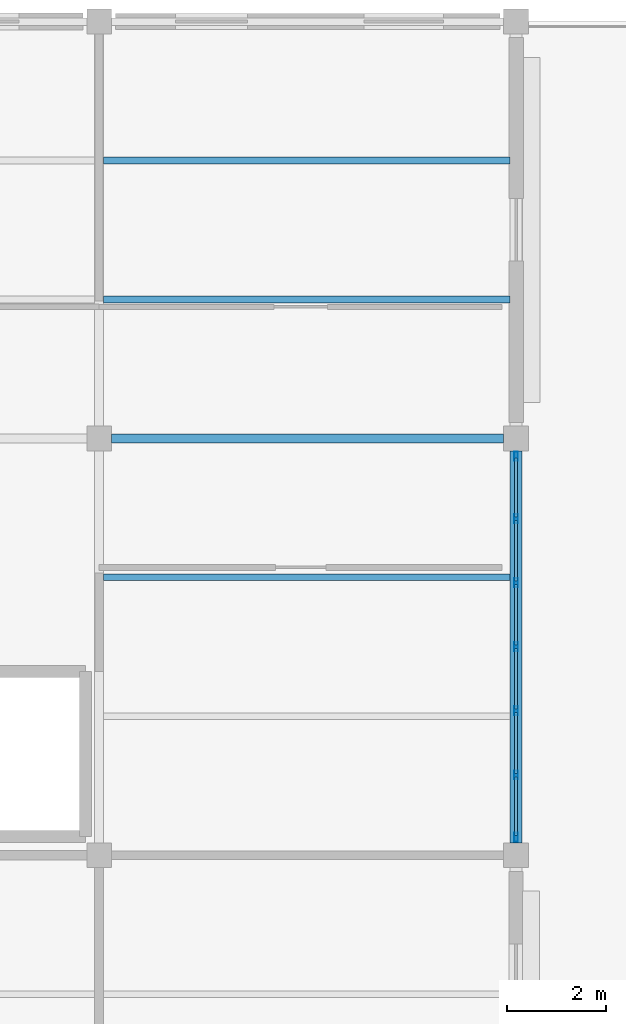
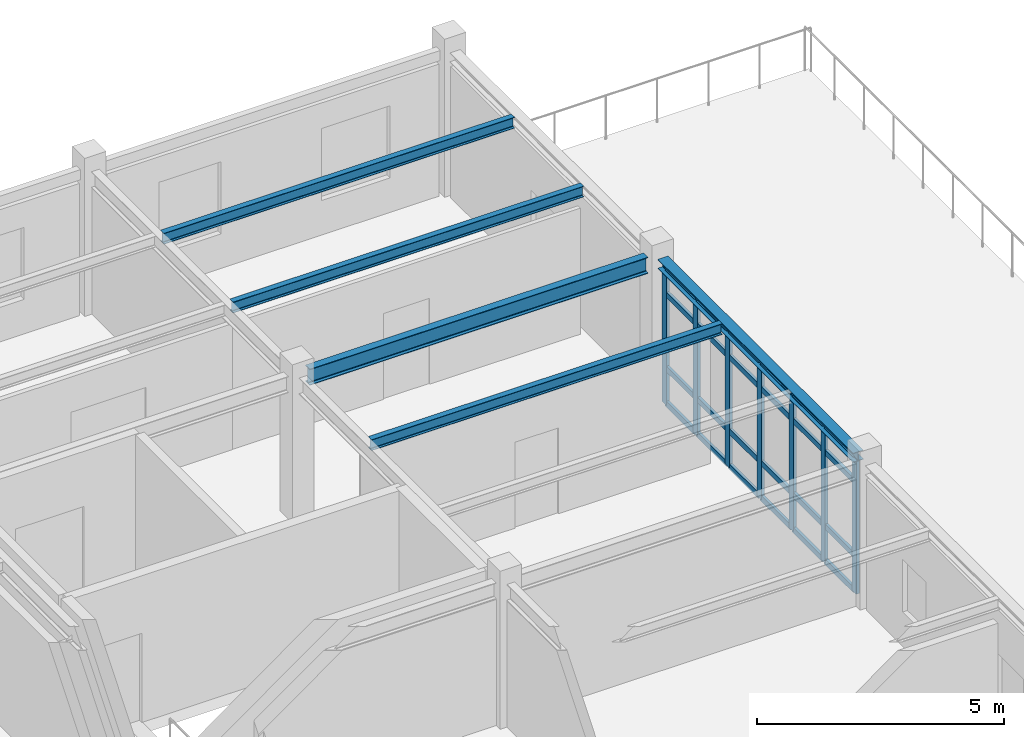
# One storey, part 25 of 53: 31 members, 5 beams, 1 element without a shape of its own.
"""IFC4 building model written with IfcOpenShell, lengths in metres."""

from ifc_helpers import new_model, si_unit, direction, frame, origin, origin_2d, place, context, subcontext, project, spatial, hollow_rectangle, i_section, extrude, material, layer, layer_set, material_profile, profile_set, type_object, element, aggregate, save


model = new_model("IFC4")

# Units and contexts
model_context = context("Model", 3, precision=1e-05, world=origin(), true_north=direction((0.0, 1.0)))
body_context = subcontext(model_context, "Body", "Model", "MODEL_VIEW")
ifc_project = project(units=[si_unit("LENGTHUNIT", "METRE"), si_unit("AREAUNIT", "SQUARE_METRE"), si_unit("VOLUMEUNIT", "CUBIC_METRE"), si_unit("PLANEANGLEUNIT", "RADIAN"), si_unit("MASSUNIT", "GRAM", prefix="KILO")], contexts=[model_context])

# Site, building, storey
site_placement = place(None, origin())
site = spatial("IfcSite", under=ifc_project, at=site_placement, CompositionType="ELEMENT")
building_placement = place(site_placement, origin())
building = spatial("IfcBuilding", under=site, at=building_placement, Name="Bramfleet General Hospital", CompositionType="ELEMENT")
storey_placement = place(building_placement, frame((0.0, 0.0, 26.39990234375)))
storey = spatial("IfcBuildingStorey", under=building, at=storey_placement, Name="L06", CompositionType="ELEMENT", Elevation=26.39990234375)

# Beams
ifc_material_1 = material(Name="Steel S355", Category="steel")
ifc_material_profile_1 = material_profile(ifc_material_1, i_section(OverallWidth=0.239990234375, OverallDepth=0.22998046875, WebThickness=0.007568359375, FlangeThickness=0.011962890625, FilletRadius=0.02099609375, at=origin_2d()), Name="HEA 240")
ifc_profile_set_1 = profile_set([ifc_material_profile_1], Name="Steel S355")
beam_type_1 = type_object("IfcBeamType", Name="BM-HEA240", PredefinedType="SPANDREL", material=ifc_profile_set_1)
beam_1_placement = place(storey_placement, frame((151.199951171875, 101.050048828125, 3.405029296875), z_axis=(0.0, 1.0, 0.0), x_axis=(-1.0, 0.0, 0.0)))
element("IfcBeam", 1, at=beam_1_placement, inside=storey, type_object=beam_type_1, Name="L06 Grid Beam Y 18-12", PredefinedType="SPANDREL", context=body_context, shape_type="SweptSolid", body=[
    extrude(i_section(OverallWidth=0.239990234375, OverallDepth=0.22998046875, WebThickness=0.007568359375, FlangeThickness=0.011962890625, FilletRadius=0.02099609375, at=origin_2d()), origin(), (0.0, 0.0, 1.0), 7.89990234375),
])
ifc_material_profile_2 = material_profile(ifc_material_1, i_section(OverallWidth=0.135009765625, OverallDepth=0.27001953125, WebThickness=0.006591796875, FlangeThickness=0.01025390625, FilletRadius=0.014892578125, at=origin_2d()), Name="IPE 270")
ifc_profile_set_2 = profile_set([ifc_material_profile_2], Name="Steel S355")
beam_type_2 = type_object("IfcBeamType", Name="BM-IPE270", PredefinedType="JOIST", material=ifc_profile_set_2)
for number, where, z_axis, x_axis, name in (
    (2, (142.889892578125, 106.39990234375, 3.385009765625), (1.0, 0.0, 0.0), (0.0, 1.0, 0.0), "L06 Secondary Joist 17-12-2"),
    (3, (142.889892578125, 112.0, 3.385009765625), (1.0, 0.0, 0.0), (0.0, 1.0, 0.0), "L06 Secondary Joist 17-13-1"),
    (4, (142.889892578125, 114.800048828125, 3.385009765625), (1.0, 0.0, 0.0), (0.0, 1.0, 0.0), "L06 Secondary Joist 17-13-2"),
):
    element("IfcBeam", number, at=place(storey_placement, frame(where, z_axis=z_axis, x_axis=x_axis)), inside=storey, type_object=beam_type_2, Name=name, PredefinedType="JOIST", context=body_context, shape_type="SweptSolid", body=[
        extrude(i_section(OverallWidth=0.135009765625, OverallDepth=0.27001953125, WebThickness=0.006591796875, FlangeThickness=0.01025390625, FilletRadius=0.014892578125, at=origin_2d()), origin(), (0.0, 0.0, 1.0), 8.190185546875),
    ])
ifc_material_profile_3 = material_profile(ifc_material_1, i_section(OverallWidth=0.179931640625, OverallDepth=0.39990234375, WebThickness=0.008544921875, FlangeThickness=0.013427734375, FilletRadius=0.02099609375, at=origin_2d()), Name="IPE 400")
ifc_profile_set_3 = profile_set([ifc_material_profile_3], Name="Steel S355")
beam_type_3 = type_object("IfcBeamType", Name="BM-IPE400", PredefinedType="BEAM", material=ifc_profile_set_3)
beam_2_placement = place(storey_placement, frame((143.050048828125, 109.199951171875, 3.320068359375), z_axis=(1.0, 0.0, 0.0), x_axis=(0.0, 1.0, 0.0)))
element("IfcBeam", 5, at=beam_2_placement, inside=storey, type_object=beam_type_3, Name="L06 Grid Beam X 17-13", PredefinedType="BEAM", context=body_context, shape_type="SweptSolid", body=[
    extrude(i_section(OverallWidth=0.179931640625, OverallDepth=0.39990234375, WebThickness=0.008544921875, FlangeThickness=0.013427734375, FilletRadius=0.02099609375, at=origin_2d()), origin(), (0.0, 0.0, 1.0), 7.89990234375),
])

# Curtain wall, members
ifc_material_2 = material(Name="Anodised aluminium and low-E triple glazing", Category="aluminium")
ifc_layer = layer(ifc_material_2, 0.179931640625, Name="CWT-CW-18")
ifc_layer_set = layer_set([ifc_layer], Name="Anodised aluminium and low-E triple glazing")
curtain_wall_type = type_object("IfcCurtainWallType", Name="CWT-CW-18", PredefinedType="USERDEFINED", material=ifc_layer_set)
curtain_wall_placement = place(storey_placement, origin())
curtain_wall = element("IfcCurtainWall", 6, at=curtain_wall_placement, inside=storey, type_object=curtain_wall_type, Name="L06 Curtain Wall 216", ObjectType="Stick curtain wall", PredefinedType="USERDEFINED")
ifc_material_3 = material(Name="Anodised aluminium EN AW-6060", Category="aluminium")
ifc_material_profile_4 = material_profile(ifc_material_3, hollow_rectangle(XDim=0.070068359375, YDim=0.179931640625, WallThickness=0.00390625, at=origin_2d()), Name="ALU 180x70x4.0")
ifc_profile_set_4 = profile_set([ifc_material_profile_4], Name="Anodised aluminium EN AW-6060")
member_type_1 = type_object("IfcMemberType", Name="CWM-ALU180", PredefinedType="MULLION", material=ifc_profile_set_4)
member_1_placement = place(storey_placement, frame((151.199951171875, 108.840087890625, 0.0), z_axis=(0.0, 0.0, 1.0), x_axis=(1.0, 0.0, 0.0)))
member_1 = element("IfcMember", 7, at=member_1_placement, type_object=member_type_1, Name="CW-18 mullion 1", PredefinedType="MULLION", context=body_context, shape_type="SweptSolid", body=[
    extrude(hollow_rectangle(XDim=0.070068359375, YDim=0.179931640625, WallThickness=0.00390625, at=origin_2d()), origin(), (0.0, 0.0, 1.0), 3.280029296875),
])
member_2_placement = place(storey_placement, frame((151.199951171875, 107.583251953125, 0.0), z_axis=(0.0, 0.0, 1.0), x_axis=(1.0, 0.0, 0.0)))
member_2 = element("IfcMember", 8, at=member_2_placement, type_object=member_type_1, Name="CW-18 mullion 2", PredefinedType="MULLION", context=body_context, shape_type="SweptSolid", body=[
    extrude(hollow_rectangle(XDim=0.070068359375, YDim=0.179931640625, WallThickness=0.00390625, at=origin_2d()), origin(), (0.0, 0.0, 1.0), 3.280029296875),
])
member_3_placement = place(storey_placement, frame((151.199951171875, 106.291748046875, 0.0), z_axis=(0.0, 0.0, 1.0), x_axis=(1.0, 0.0, 0.0)))
member_3 = element("IfcMember", 9, at=member_3_placement, type_object=member_type_1, Name="CW-18 mullion 3", PredefinedType="MULLION", context=body_context, shape_type="SweptSolid", body=[
    extrude(hollow_rectangle(XDim=0.070068359375, YDim=0.179931640625, WallThickness=0.00390625, at=origin_2d()), origin(), (0.0, 0.0, 1.0), 3.280029296875),
])
member_4_placement = place(storey_placement, frame((151.199951171875, 105.0, 0.0), z_axis=(0.0, 0.0, 1.0), x_axis=(1.0, 0.0, 0.0)))
member_4 = element("IfcMember", 10, at=member_4_placement, type_object=member_type_1, Name="CW-18 mullion 4", PredefinedType="MULLION", context=body_context, shape_type="SweptSolid", body=[
    extrude(hollow_rectangle(XDim=0.070068359375, YDim=0.179931640625, WallThickness=0.00390625, at=origin_2d()), origin(), (0.0, 0.0, 1.0), 3.280029296875),
])
member_5_placement = place(storey_placement, frame((151.199951171875, 103.708251953125, 0.0), z_axis=(0.0, 0.0, 1.0), x_axis=(1.0, 0.0, 0.0)))
member_5 = element("IfcMember", 11, at=member_5_placement, type_object=member_type_1, Name="CW-18 mullion 5", PredefinedType="MULLION", context=body_context, shape_type="SweptSolid", body=[
    extrude(hollow_rectangle(XDim=0.070068359375, YDim=0.179931640625, WallThickness=0.00390625, at=origin_2d()), origin(), (0.0, 0.0, 1.0), 3.280029296875),
])
member_6_placement = place(storey_placement, frame((151.199951171875, 102.416748046875, 0.0), z_axis=(0.0, 0.0, 1.0), x_axis=(1.0, 0.0, 0.0)))
member_6 = element("IfcMember", 12, at=member_6_placement, type_object=member_type_1, Name="CW-18 mullion 6", PredefinedType="MULLION", context=body_context, shape_type="SweptSolid", body=[
    extrude(hollow_rectangle(XDim=0.070068359375, YDim=0.179931640625, WallThickness=0.00390625, at=origin_2d()), origin(), (0.0, 0.0, 1.0), 3.280029296875),
])
member_7_placement = place(storey_placement, frame((151.199951171875, 101.159912109375, 0.0), z_axis=(0.0, 0.0, 1.0), x_axis=(1.0, 0.0, 0.0)))
member_7 = element("IfcMember", 13, at=member_7_placement, type_object=member_type_1, Name="CW-18 mullion 7", PredefinedType="MULLION", context=body_context, shape_type="SweptSolid", body=[
    extrude(hollow_rectangle(XDim=0.070068359375, YDim=0.179931640625, WallThickness=0.00390625, at=origin_2d()), origin(), (0.0, 0.0, 1.0), 3.280029296875),
])
ifc_material_profile_5 = material_profile(ifc_material_3, hollow_rectangle(XDim=0.06494140625, YDim=0.139892578125, WallThickness=0.00390625, at=origin_2d()), Name="ALU 140x65x4.0")
ifc_profile_set_5 = profile_set([ifc_material_profile_5], Name="Anodised aluminium EN AW-6060")
member_type_2 = type_object("IfcMemberType", Name="CWT-ALU140", PredefinedType="USERDEFINED", material=ifc_profile_set_5)
member_8_placement = place(storey_placement, frame((151.199951171875, 108.804931640625, 0.03271484375), z_axis=(0.0, -1.0, 0.0), x_axis=(1.0, 0.0, 0.0)))
member_8 = element("IfcMember", 14, at=member_8_placement, type_object=member_type_2, Name="CW-18 transom 1.1", ObjectType="TRANSOM", PredefinedType="USERDEFINED", context=body_context, shape_type="SweptSolid", body=[
    extrude(hollow_rectangle(XDim=0.06494140625, YDim=0.139892578125, WallThickness=0.00390625, at=origin_2d()), origin(), (0.0, 0.0, 1.0), 1.1865234375),
])
member_9_placement = place(storey_placement, frame((151.199951171875, 108.804931640625, 0.900146484375), z_axis=(0.0, -1.0, 0.0), x_axis=(1.0, 0.0, 0.0)))
member_9 = element("IfcMember", 15, at=member_9_placement, type_object=member_type_2, Name="CW-18 transom 1.2", ObjectType="TRANSOM", PredefinedType="USERDEFINED", context=body_context, shape_type="SweptSolid", body=[
    extrude(hollow_rectangle(XDim=0.06494140625, YDim=0.139892578125, WallThickness=0.00390625, at=origin_2d()), origin(), (0.0, 0.0, 1.0), 1.1865234375),
])
member_10_placement = place(storey_placement, frame((151.199951171875, 108.804931640625, 2.72998046875), z_axis=(0.0, -1.0, 0.0), x_axis=(1.0, 0.0, 0.0)))
member_10 = element("IfcMember", 16, at=member_10_placement, type_object=member_type_2, Name="CW-18 transom 1.3", ObjectType="TRANSOM", PredefinedType="USERDEFINED", context=body_context, shape_type="SweptSolid", body=[
    extrude(hollow_rectangle(XDim=0.06494140625, YDim=0.139892578125, WallThickness=0.00390625, at=origin_2d()), origin(), (0.0, 0.0, 1.0), 1.1865234375),
])
member_11_placement = place(storey_placement, frame((151.199951171875, 108.804931640625, 3.24755859375), z_axis=(0.0, -1.0, 0.0), x_axis=(1.0, 0.0, 0.0)))
member_11 = element("IfcMember", 17, at=member_11_placement, type_object=member_type_2, Name="CW-18 transom 1.4", ObjectType="TRANSOM", PredefinedType="USERDEFINED", context=body_context, shape_type="SweptSolid", body=[
    extrude(hollow_rectangle(XDim=0.06494140625, YDim=0.139892578125, WallThickness=0.00390625, at=origin_2d()), origin(), (0.0, 0.0, 1.0), 1.1865234375),
])
member_12_placement = place(storey_placement, frame((151.199951171875, 107.54833984375, 0.03271484375), z_axis=(0.0, -1.0, 0.0), x_axis=(1.0, 0.0, 0.0)))
member_12 = element("IfcMember", 18, at=member_12_placement, type_object=member_type_2, Name="CW-18 transom 2.1", ObjectType="TRANSOM", PredefinedType="USERDEFINED", context=body_context, shape_type="SweptSolid", body=[
    extrude(hollow_rectangle(XDim=0.06494140625, YDim=0.139892578125, WallThickness=0.00390625, at=origin_2d()), origin(), (0.0, 0.0, 1.0), 1.2216796875),
])
member_13_placement = place(storey_placement, frame((151.199951171875, 107.54833984375, 0.900146484375), z_axis=(0.0, -1.0, 0.0), x_axis=(1.0, 0.0, 0.0)))
member_13 = element("IfcMember", 19, at=member_13_placement, type_object=member_type_2, Name="CW-18 transom 2.2", ObjectType="TRANSOM", PredefinedType="USERDEFINED", context=body_context, shape_type="SweptSolid", body=[
    extrude(hollow_rectangle(XDim=0.06494140625, YDim=0.139892578125, WallThickness=0.00390625, at=origin_2d()), origin(), (0.0, 0.0, 1.0), 1.2216796875),
])
member_14_placement = place(storey_placement, frame((151.199951171875, 107.54833984375, 2.72998046875), z_axis=(0.0, -1.0, 0.0), x_axis=(1.0, 0.0, 0.0)))
member_14 = element("IfcMember", 20, at=member_14_placement, type_object=member_type_2, Name="CW-18 transom 2.3", ObjectType="TRANSOM", PredefinedType="USERDEFINED", context=body_context, shape_type="SweptSolid", body=[
    extrude(hollow_rectangle(XDim=0.06494140625, YDim=0.139892578125, WallThickness=0.00390625, at=origin_2d()), origin(), (0.0, 0.0, 1.0), 1.2216796875),
])
member_15_placement = place(storey_placement, frame((151.199951171875, 107.54833984375, 3.24755859375), z_axis=(0.0, -1.0, 0.0), x_axis=(1.0, 0.0, 0.0)))
member_15 = element("IfcMember", 21, at=member_15_placement, type_object=member_type_2, Name="CW-18 transom 2.4", ObjectType="TRANSOM", PredefinedType="USERDEFINED", context=body_context, shape_type="SweptSolid", body=[
    extrude(hollow_rectangle(XDim=0.06494140625, YDim=0.139892578125, WallThickness=0.00390625, at=origin_2d()), origin(), (0.0, 0.0, 1.0), 1.2216796875),
])
member_16_placement = place(storey_placement, frame((151.199951171875, 106.256591796875, 0.03271484375), z_axis=(0.0, -1.0, 0.0), x_axis=(1.0, 0.0, 0.0)))
member_16 = element("IfcMember", 22, at=member_16_placement, type_object=member_type_2, Name="CW-18 transom 3.1", ObjectType="TRANSOM", PredefinedType="USERDEFINED", context=body_context, shape_type="SweptSolid", body=[
    extrude(hollow_rectangle(XDim=0.06494140625, YDim=0.139892578125, WallThickness=0.00390625, at=origin_2d()), origin(), (0.0, 0.0, 1.0), 1.2216796875),
])
member_17_placement = place(storey_placement, frame((151.199951171875, 106.256591796875, 0.900146484375), z_axis=(0.0, -1.0, 0.0), x_axis=(1.0, 0.0, 0.0)))
member_17 = element("IfcMember", 23, at=member_17_placement, type_object=member_type_2, Name="CW-18 transom 3.2", ObjectType="TRANSOM", PredefinedType="USERDEFINED", context=body_context, shape_type="SweptSolid", body=[
    extrude(hollow_rectangle(XDim=0.06494140625, YDim=0.139892578125, WallThickness=0.00390625, at=origin_2d()), origin(), (0.0, 0.0, 1.0), 1.2216796875),
])
member_18_placement = place(storey_placement, frame((151.199951171875, 106.256591796875, 2.72998046875), z_axis=(0.0, -1.0, 0.0), x_axis=(1.0, 0.0, 0.0)))
member_18 = element("IfcMember", 24, at=member_18_placement, type_object=member_type_2, Name="CW-18 transom 3.3", ObjectType="TRANSOM", PredefinedType="USERDEFINED", context=body_context, shape_type="SweptSolid", body=[
    extrude(hollow_rectangle(XDim=0.06494140625, YDim=0.139892578125, WallThickness=0.00390625, at=origin_2d()), origin(), (0.0, 0.0, 1.0), 1.2216796875),
])
member_19_placement = place(storey_placement, frame((151.199951171875, 106.256591796875, 3.24755859375), z_axis=(0.0, -1.0, 0.0), x_axis=(1.0, 0.0, 0.0)))
member_19 = element("IfcMember", 25, at=member_19_placement, type_object=member_type_2, Name="CW-18 transom 3.4", ObjectType="TRANSOM", PredefinedType="USERDEFINED", context=body_context, shape_type="SweptSolid", body=[
    extrude(hollow_rectangle(XDim=0.06494140625, YDim=0.139892578125, WallThickness=0.00390625, at=origin_2d()), origin(), (0.0, 0.0, 1.0), 1.2216796875),
])
member_20_placement = place(storey_placement, frame((151.199951171875, 104.965087890625, 0.03271484375), z_axis=(0.0, -1.0, 0.0), x_axis=(1.0, 0.0, 0.0)))
member_20 = element("IfcMember", 26, at=member_20_placement, type_object=member_type_2, Name="CW-18 transom 4.1", ObjectType="TRANSOM", PredefinedType="USERDEFINED", context=body_context, shape_type="SweptSolid", body=[
    extrude(hollow_rectangle(XDim=0.06494140625, YDim=0.139892578125, WallThickness=0.00390625, at=origin_2d()), origin(), (0.0, 0.0, 1.0), 1.2216796875),
])
member_21_placement = place(storey_placement, frame((151.199951171875, 104.965087890625, 0.900146484375), z_axis=(0.0, -1.0, 0.0), x_axis=(1.0, 0.0, 0.0)))
member_21 = element("IfcMember", 27, at=member_21_placement, type_object=member_type_2, Name="CW-18 transom 4.2", ObjectType="TRANSOM", PredefinedType="USERDEFINED", context=body_context, shape_type="SweptSolid", body=[
    extrude(hollow_rectangle(XDim=0.06494140625, YDim=0.139892578125, WallThickness=0.00390625, at=origin_2d()), origin(), (0.0, 0.0, 1.0), 1.2216796875),
])
member_22_placement = place(storey_placement, frame((151.199951171875, 104.965087890625, 2.72998046875), z_axis=(0.0, -1.0, 0.0), x_axis=(1.0, 0.0, 0.0)))
member_22 = element("IfcMember", 28, at=member_22_placement, type_object=member_type_2, Name="CW-18 transom 4.3", ObjectType="TRANSOM", PredefinedType="USERDEFINED", context=body_context, shape_type="SweptSolid", body=[
    extrude(hollow_rectangle(XDim=0.06494140625, YDim=0.139892578125, WallThickness=0.00390625, at=origin_2d()), origin(), (0.0, 0.0, 1.0), 1.2216796875),
])
member_23_placement = place(storey_placement, frame((151.199951171875, 104.965087890625, 3.24755859375), z_axis=(0.0, -1.0, 0.0), x_axis=(1.0, 0.0, 0.0)))
member_23 = element("IfcMember", 29, at=member_23_placement, type_object=member_type_2, Name="CW-18 transom 4.4", ObjectType="TRANSOM", PredefinedType="USERDEFINED", context=body_context, shape_type="SweptSolid", body=[
    extrude(hollow_rectangle(XDim=0.06494140625, YDim=0.139892578125, WallThickness=0.00390625, at=origin_2d()), origin(), (0.0, 0.0, 1.0), 1.2216796875),
])
member_24_placement = place(storey_placement, frame((151.199951171875, 103.67333984375, 0.03271484375), z_axis=(0.0, -1.0, 0.0), x_axis=(1.0, 0.0, 0.0)))
member_24 = element("IfcMember", 30, at=member_24_placement, type_object=member_type_2, Name="CW-18 transom 5.1", ObjectType="TRANSOM", PredefinedType="USERDEFINED", context=body_context, shape_type="SweptSolid", body=[
    extrude(hollow_rectangle(XDim=0.06494140625, YDim=0.139892578125, WallThickness=0.00390625, at=origin_2d()), origin(), (0.0, 0.0, 1.0), 1.2216796875),
])
member_25_placement = place(storey_placement, frame((151.199951171875, 103.67333984375, 0.900146484375), z_axis=(0.0, -1.0, 0.0), x_axis=(1.0, 0.0, 0.0)))
member_25 = element("IfcMember", 31, at=member_25_placement, type_object=member_type_2, Name="CW-18 transom 5.2", ObjectType="TRANSOM", PredefinedType="USERDEFINED", context=body_context, shape_type="SweptSolid", body=[
    extrude(hollow_rectangle(XDim=0.06494140625, YDim=0.139892578125, WallThickness=0.00390625, at=origin_2d()), origin(), (0.0, 0.0, 1.0), 1.2216796875),
])
member_26_placement = place(storey_placement, frame((151.199951171875, 103.67333984375, 2.72998046875), z_axis=(0.0, -1.0, 0.0), x_axis=(1.0, 0.0, 0.0)))
member_26 = element("IfcMember", 32, at=member_26_placement, type_object=member_type_2, Name="CW-18 transom 5.3", ObjectType="TRANSOM", PredefinedType="USERDEFINED", context=body_context, shape_type="SweptSolid", body=[
    extrude(hollow_rectangle(XDim=0.06494140625, YDim=0.139892578125, WallThickness=0.00390625, at=origin_2d()), origin(), (0.0, 0.0, 1.0), 1.2216796875),
])
member_27_placement = place(storey_placement, frame((151.199951171875, 103.67333984375, 3.24755859375), z_axis=(0.0, -1.0, 0.0), x_axis=(1.0, 0.0, 0.0)))
member_27 = element("IfcMember", 33, at=member_27_placement, type_object=member_type_2, Name="CW-18 transom 5.4", ObjectType="TRANSOM", PredefinedType="USERDEFINED", context=body_context, shape_type="SweptSolid", body=[
    extrude(hollow_rectangle(XDim=0.06494140625, YDim=0.139892578125, WallThickness=0.00390625, at=origin_2d()), origin(), (0.0, 0.0, 1.0), 1.2216796875),
])
member_28_placement = place(storey_placement, frame((151.199951171875, 102.381591796875, 0.03271484375), z_axis=(0.0, -1.0, 0.0), x_axis=(1.0, 0.0, 0.0)))
member_28 = element("IfcMember", 34, at=member_28_placement, type_object=member_type_2, Name="CW-18 transom 6.1", ObjectType="TRANSOM", PredefinedType="USERDEFINED", context=body_context, shape_type="SweptSolid", body=[
    extrude(hollow_rectangle(XDim=0.06494140625, YDim=0.139892578125, WallThickness=0.00390625, at=origin_2d()), origin(), (0.0, 0.0, 1.0), 1.1865234375),
])
member_29_placement = place(storey_placement, frame((151.199951171875, 102.381591796875, 0.900146484375), z_axis=(0.0, -1.0, 0.0), x_axis=(1.0, 0.0, 0.0)))
member_29 = element("IfcMember", 35, at=member_29_placement, type_object=member_type_2, Name="CW-18 transom 6.2", ObjectType="TRANSOM", PredefinedType="USERDEFINED", context=body_context, shape_type="SweptSolid", body=[
    extrude(hollow_rectangle(XDim=0.06494140625, YDim=0.139892578125, WallThickness=0.00390625, at=origin_2d()), origin(), (0.0, 0.0, 1.0), 1.1865234375),
])
member_30_placement = place(storey_placement, frame((151.199951171875, 102.381591796875, 2.72998046875), z_axis=(0.0, -1.0, 0.0), x_axis=(1.0, 0.0, 0.0)))
member_30 = element("IfcMember", 36, at=member_30_placement, type_object=member_type_2, Name="CW-18 transom 6.3", ObjectType="TRANSOM", PredefinedType="USERDEFINED", context=body_context, shape_type="SweptSolid", body=[
    extrude(hollow_rectangle(XDim=0.06494140625, YDim=0.139892578125, WallThickness=0.00390625, at=origin_2d()), origin(), (0.0, 0.0, 1.0), 1.1865234375),
])
member_31_placement = place(storey_placement, frame((151.199951171875, 102.381591796875, 3.24755859375), z_axis=(0.0, -1.0, 0.0), x_axis=(1.0, 0.0, 0.0)))
member_31 = element("IfcMember", 37, at=member_31_placement, type_object=member_type_2, Name="CW-18 transom 6.4", ObjectType="TRANSOM", PredefinedType="USERDEFINED", context=body_context, shape_type="SweptSolid", body=[
    extrude(hollow_rectangle(XDim=0.06494140625, YDim=0.139892578125, WallThickness=0.00390625, at=origin_2d()), origin(), (0.0, 0.0, 1.0), 1.1865234375),
])
aggregate(curtain_wall, [member_1, member_2, member_3, member_4, member_5, member_6, member_7, member_8, member_9, member_10, member_11, member_12, member_13, member_14, member_15, member_16, member_17, member_18, member_19, member_20, member_21, member_22, member_23, member_24, member_25, member_26, member_27, member_28, member_29, member_30, member_31])

save(model, "model.ifc")
